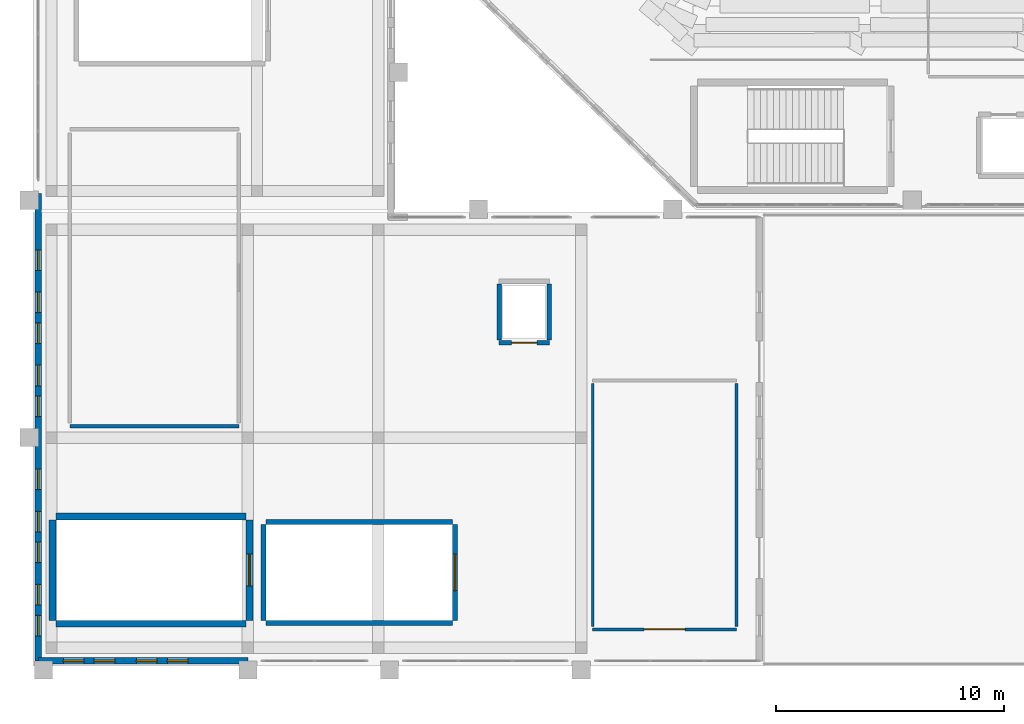
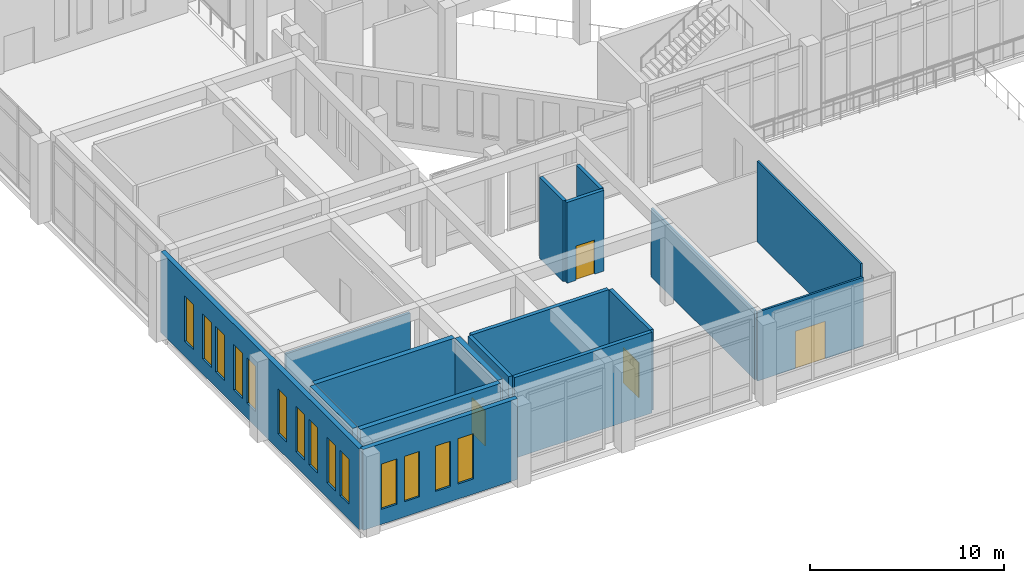
# One storey, part 42 of 55: 17 walls, 14 windows, 4 doors, 18 openings.
"""IFC4 building model written with IfcOpenShell, lengths in metres."""

from ifc_helpers import new_model, si_unit, derived_unit, direction, frame, frame_2d, origin, place, context, subcontext, project, spatial, rectangle, extrude, material, layer, layer_set, type_object, element, fill, save


model = new_model("IFC4")

# Units and contexts
model_context = context("Model", 3, precision=1e-05, world=origin(), true_north=direction((0.0, 1.0)))
body_context = subcontext(model_context, "Body", "Model", "MODEL_VIEW")
ifc_project = project(units=[si_unit("LENGTHUNIT", "METRE"), si_unit("AREAUNIT", "SQUARE_METRE"), si_unit("VOLUMEUNIT", "CUBIC_METRE"), si_unit("PLANEANGLEUNIT", "RADIAN"), si_unit("MASSUNIT", "GRAM", prefix="KILO"), derived_unit("THERMALTRANSMITTANCEUNIT", [(si_unit("MASSUNIT", "GRAM", prefix="KILO"), 1), (si_unit("TIMEUNIT", "SECOND"), -3), (si_unit("THERMODYNAMICTEMPERATUREUNIT", "KELVIN"), -1)])], contexts=[model_context])

# Site, building, storey
site_placement = place(None, origin())
site = spatial("IfcSite", under=ifc_project, at=site_placement, CompositionType="ELEMENT")
building_placement = place(site_placement, origin())
building = spatial("IfcBuilding", under=site, at=building_placement, Name="Valcora Ridge Arena", CompositionType="ELEMENT")
storey_placement = place(building_placement, frame((0.0, 0.0, 21.0)))
storey = spatial("IfcBuildingStorey", under=building, at=storey_placement, Name="L04", CompositionType="ELEMENT", Elevation=21.0)

# Wall, openings, windows
ifc_material_1 = material(Name="Bush-hammered Andean travertine on concrete backup C40/50", Category="masonry")
ifc_layer_1 = layer(ifc_material_1, 0.280029296875, Name="Bush-hammered Andean travertine on concrete backup C40/50")
ifc_layer_set_1 = layer_set([ifc_layer_1], Name="Bush-hammered Andean travertine on concrete backup C40/50")
wall_type_1 = type_object("IfcWallType", Name="TY-WALL-EW-TRV-28-51", PredefinedType="STANDARD", material=ifc_layer_set_1)
wall_1_placement = place(storey_placement, frame((0.219970703125, 0.219970703125, 0.0), z_axis=(0.0, 0.0, 1.0), x_axis=(1.0, 0.0, 0.0)))
wall_1 = element("IfcWall", 1, at=wall_1_placement, inside=storey, type_object=wall_type_1, Name="EW-TRV-28-51 WAL-EW-0098", PredefinedType="STANDARD", context=body_context, shape_type="SweptSolid", body=[
    extrude(rectangle(XDim=9.179931640625, YDim=0.280029296875, at=frame_2d((4.58984375, 0.0))), origin(), (0.0, 0.0, 1.0), 5.080078125),
])
opening_1_placement = place(wall_1_placement, frame((1.10009765625, 0.0, 0.949951171875)))
opening_1 = element("IfcOpeningElement", 2, at=opening_1_placement, cuts=wall_1, Name="Opening W-GLAN-90X285", PredefinedType="OPENING", context=body_context, shape_type="SweptSolid", body=[
    extrude(rectangle(XDim=0.89990234375, YDim=2.85009765625, at=frame_2d((0.449951171875, 1.425048828125))), frame((0.0, 0.14990234375, 0.0), z_axis=(0.0, -1.0, 0.0), x_axis=(1.0, 0.0, 0.0)), (0.0, 0.0, 1.0), 0.300048828125),
])
opening_2_placement = place(wall_1_placement, frame((2.449951171875, 0.0, 0.949951171875)))
opening_2 = element("IfcOpeningElement", 3, at=opening_2_placement, cuts=wall_1, Name="Opening W-GLAN-90X285", PredefinedType="OPENING", context=body_context, shape_type="SweptSolid", body=[
    extrude(rectangle(XDim=0.89990234375, YDim=2.85009765625, at=frame_2d((0.449951171875, 1.425048828125))), frame((0.0, 0.14990234375, 0.0), z_axis=(0.0, -1.0, 0.0), x_axis=(1.0, 0.0, 0.0)), (0.0, 0.0, 1.0), 0.300048828125),
])
opening_3_placement = place(wall_1_placement, frame((4.300048828125, 0.0, 0.949951171875)))
opening_3 = element("IfcOpeningElement", 4, at=opening_3_placement, cuts=wall_1, Name="Opening W-GLAN-90X285", PredefinedType="OPENING", context=body_context, shape_type="SweptSolid", body=[
    extrude(rectangle(XDim=0.89990234375, YDim=2.85009765625, at=frame_2d((0.449951171875, 1.425048828125))), frame((0.0, 0.14990234375, 0.0), z_axis=(0.0, -1.0, 0.0), x_axis=(1.0, 0.0, 0.0)), (0.0, 0.0, 1.0), 0.300048828125),
])
opening_4_placement = place(wall_1_placement, frame((5.64990234375, 0.0, 0.949951171875)))
opening_4 = element("IfcOpeningElement", 5, at=opening_4_placement, cuts=wall_1, Name="Opening W-GLAN-90X285", PredefinedType="OPENING", context=body_context, shape_type="SweptSolid", body=[
    extrude(rectangle(XDim=0.89990234375, YDim=2.85009765625, at=frame_2d((0.449951171875, 1.425048828125))), frame((0.0, 0.14990234375, 0.0), z_axis=(0.0, -1.0, 0.0), x_axis=(1.0, 0.0, 0.0)), (0.0, 0.0, 1.0), 0.300048828125),
])
ifc_material_2 = material(Name="Low-iron solar-control double glazing SHGC 0.28", Category="glass")
window_type = type_object("IfcWindowType", Name="TY-WINDOW-W-GLAN-90X285", PartitioningType="DOUBLE_PANEL_VERTICAL", PredefinedType="WINDOW", material=ifc_material_2)
window_1_placement = place(opening_1_placement, origin())
window_1 = element("IfcWindow", 6, at=window_1_placement, inside=storey, type_object=window_type, Name="W-GLAN-90X285 WIN-EX-0312", OverallHeight=2.85009765625, OverallWidth=0.89990234375, PartitioningType="DOUBLE_PANEL_VERTICAL", PredefinedType="WINDOW", context=body_context, shape_type="SweptSolid", body=[
    extrude(rectangle(XDim=0.89990234375, YDim=2.85009765625, at=frame_2d((0.449951171875, 1.425048828125))), frame((0.0, 0.030029296875, 0.0), z_axis=(0.0, -1.0, 0.0), x_axis=(1.0, 0.0, 0.0)), (0.0, 0.0, 1.0), 0.06005859375),
])
fill(opening_1, window_1)
window_2_placement = place(opening_2_placement, origin())
window_2 = element("IfcWindow", 7, at=window_2_placement, inside=storey, type_object=window_type, Name="W-GLAN-90X285 WIN-EX-0313", OverallHeight=2.85009765625, OverallWidth=0.89990234375, PartitioningType="DOUBLE_PANEL_VERTICAL", PredefinedType="WINDOW", context=body_context, shape_type="SweptSolid", body=[
    extrude(rectangle(XDim=0.89990234375, YDim=2.85009765625, at=frame_2d((0.449951171875, 1.425048828125))), frame((0.0, 0.030029296875, 0.0), z_axis=(0.0, -1.0, 0.0), x_axis=(1.0, 0.0, 0.0)), (0.0, 0.0, 1.0), 0.06005859375),
])
fill(opening_2, window_2)
window_3_placement = place(opening_3_placement, origin())
window_3 = element("IfcWindow", 8, at=window_3_placement, inside=storey, type_object=window_type, Name="W-GLAN-90X285 WIN-EX-0314", OverallHeight=2.85009765625, OverallWidth=0.89990234375, PartitioningType="DOUBLE_PANEL_VERTICAL", PredefinedType="WINDOW", context=body_context, shape_type="SweptSolid", body=[
    extrude(rectangle(XDim=0.89990234375, YDim=2.85009765625, at=frame_2d((0.449951171875, 1.425048828125))), frame((0.0, 0.030029296875, 0.0), z_axis=(0.0, -1.0, 0.0), x_axis=(1.0, 0.0, 0.0)), (0.0, 0.0, 1.0), 0.06005859375),
])
fill(opening_3, window_3)
window_4_placement = place(opening_4_placement, origin())
window_4 = element("IfcWindow", 9, at=window_4_placement, inside=storey, type_object=window_type, Name="W-GLAN-90X285 WIN-EX-0315", OverallHeight=2.85009765625, OverallWidth=0.89990234375, PartitioningType="DOUBLE_PANEL_VERTICAL", PredefinedType="WINDOW", context=body_context, shape_type="SweptSolid", body=[
    extrude(rectangle(XDim=0.89990234375, YDim=2.85009765625, at=frame_2d((0.449951171875, 1.425048828125))), frame((0.0, 0.030029296875, 0.0), z_axis=(0.0, -1.0, 0.0), x_axis=(1.0, 0.0, 0.0)), (0.0, 0.0, 1.0), 0.06005859375),
])
fill(opening_4, window_4)

wall_2_placement = place(storey_placement, frame((0.219970703125, 0.219970703125, 0.0), z_axis=(0.0, 0.0, 1.0), x_axis=(0.0, 1.0, 0.0)))
wall_2 = element("IfcWall", 10, at=wall_2_placement, inside=storey, type_object=wall_type_1, Name="EW-TRV-28-51 WAL-EW-0100", PredefinedType="STANDARD", context=body_context, shape_type="SweptSolid", body=[
    extrude(rectangle(XDim=20.47998046875, YDim=0.280029296875, at=frame_2d((10.239990234375, 0.0))), origin(), (0.0, 0.0, 1.0), 5.080078125),
])
opening_5_placement = place(wall_2_placement, frame((1.10009765625, 0.0, 0.949951171875)))
opening_5 = element("IfcOpeningElement", 11, at=opening_5_placement, cuts=wall_2, Name="Opening W-GLAN-90X285", PredefinedType="OPENING", context=body_context, shape_type="SweptSolid", body=[
    extrude(rectangle(XDim=0.89990234375, YDim=2.85009765625, at=frame_2d((0.449951171875, 1.425048828125))), frame((0.0, 0.14990234375, 0.0), z_axis=(0.0, -1.0, 0.0), x_axis=(1.0, 0.0, 0.0)), (0.0, 0.0, 1.0), 0.300048828125),
])
opening_6_placement = place(wall_2_placement, frame((2.449951171875, 0.0, 0.949951171875)))
opening_6 = element("IfcOpeningElement", 12, at=opening_6_placement, cuts=wall_2, Name="Opening W-GLAN-90X285", PredefinedType="OPENING", context=body_context, shape_type="SweptSolid", body=[
    extrude(rectangle(XDim=0.89990234375, YDim=2.85009765625, at=frame_2d((0.449951171875, 1.425048828125))), frame((0.0, 0.14990234375, 0.0), z_axis=(0.0, -1.0, 0.0), x_axis=(1.0, 0.0, 0.0)), (0.0, 0.0, 1.0), 0.300048828125),
])
opening_7_placement = place(wall_2_placement, frame((4.300048828125, 0.0, 0.949951171875)))
opening_7 = element("IfcOpeningElement", 13, at=opening_7_placement, cuts=wall_2, Name="Opening W-GLAN-90X285", PredefinedType="OPENING", context=body_context, shape_type="SweptSolid", body=[
    extrude(rectangle(XDim=0.89990234375, YDim=2.85009765625, at=frame_2d((0.449951171875, 1.425048828125))), frame((0.0, 0.14990234375, 0.0), z_axis=(0.0, -1.0, 0.0), x_axis=(1.0, 0.0, 0.0)), (0.0, 0.0, 1.0), 0.300048828125),
])
opening_8_placement = place(wall_2_placement, frame((5.64990234375, 0.0, 0.949951171875)))
opening_8 = element("IfcOpeningElement", 14, at=opening_8_placement, cuts=wall_2, Name="Opening W-GLAN-90X285", PredefinedType="OPENING", context=body_context, shape_type="SweptSolid", body=[
    extrude(rectangle(XDim=0.89990234375, YDim=2.85009765625, at=frame_2d((0.449951171875, 1.425048828125))), frame((0.0, 0.14990234375, 0.0), z_axis=(0.0, -1.0, 0.0), x_axis=(1.0, 0.0, 0.0)), (0.0, 0.0, 1.0), 0.300048828125),
])
opening_9_placement = place(wall_2_placement, frame((7.5, 0.0, 0.949951171875)))
opening_9 = element("IfcOpeningElement", 15, at=opening_9_placement, cuts=wall_2, Name="Opening W-GLAN-90X285", PredefinedType="OPENING", context=body_context, shape_type="SweptSolid", body=[
    extrude(rectangle(XDim=0.89990234375, YDim=2.85009765625, at=frame_2d((0.449951171875, 1.425048828125))), frame((0.0, 0.14990234375, 0.0), z_axis=(0.0, -1.0, 0.0), x_axis=(1.0, 0.0, 0.0)), (0.0, 0.0, 1.0), 0.300048828125),
])
opening_10_placement = place(wall_2_placement, frame((10.699951171875, 0.0, 0.949951171875)))
opening_10 = element("IfcOpeningElement", 16, at=opening_10_placement, cuts=wall_2, Name="Opening W-GLAN-90X285", PredefinedType="OPENING", context=body_context, shape_type="SweptSolid", body=[
    extrude(rectangle(XDim=0.89990234375, YDim=2.85009765625, at=frame_2d((0.449951171875, 1.425048828125))), frame((0.0, 0.14990234375, 0.0), z_axis=(0.0, -1.0, 0.0), x_axis=(1.0, 0.0, 0.0)), (0.0, 0.0, 1.0), 0.300048828125),
])
opening_11_placement = place(wall_2_placement, frame((12.050048828125, 0.0, 0.949951171875)))
opening_11 = element("IfcOpeningElement", 17, at=opening_11_placement, cuts=wall_2, Name="Opening W-GLAN-90X285", PredefinedType="OPENING", context=body_context, shape_type="SweptSolid", body=[
    extrude(rectangle(XDim=0.89990234375, YDim=2.85009765625, at=frame_2d((0.449951171875, 1.425048828125))), frame((0.0, 0.14990234375, 0.0), z_axis=(0.0, -1.0, 0.0), x_axis=(1.0, 0.0, 0.0)), (0.0, 0.0, 1.0), 0.300048828125),
])
opening_12_placement = place(wall_2_placement, frame((13.89990234375, 0.0, 0.949951171875)))
opening_12 = element("IfcOpeningElement", 18, at=opening_12_placement, cuts=wall_2, Name="Opening W-GLAN-90X285", PredefinedType="OPENING", context=body_context, shape_type="SweptSolid", body=[
    extrude(rectangle(XDim=0.89990234375, YDim=2.85009765625, at=frame_2d((0.449951171875, 1.425048828125))), frame((0.0, 0.14990234375, 0.0), z_axis=(0.0, -1.0, 0.0), x_axis=(1.0, 0.0, 0.0)), (0.0, 0.0, 1.0), 0.300048828125),
])
opening_13_placement = place(wall_2_placement, frame((15.25, 0.0, 0.949951171875)))
opening_13 = element("IfcOpeningElement", 19, at=opening_13_placement, cuts=wall_2, Name="Opening W-GLAN-90X285", PredefinedType="OPENING", context=body_context, shape_type="SweptSolid", body=[
    extrude(rectangle(XDim=0.89990234375, YDim=2.85009765625, at=frame_2d((0.449951171875, 1.425048828125))), frame((0.0, 0.14990234375, 0.0), z_axis=(0.0, -1.0, 0.0), x_axis=(1.0, 0.0, 0.0)), (0.0, 0.0, 1.0), 0.300048828125),
])
opening_14_placement = place(wall_2_placement, frame((17.10009765625, 0.0, 0.949951171875)))
opening_14 = element("IfcOpeningElement", 20, at=opening_14_placement, cuts=wall_2, Name="Opening W-GLAN-90X285", PredefinedType="OPENING", context=body_context, shape_type="SweptSolid", body=[
    extrude(rectangle(XDim=0.89990234375, YDim=2.85009765625, at=frame_2d((0.449951171875, 1.425048828125))), frame((0.0, 0.14990234375, 0.0), z_axis=(0.0, -1.0, 0.0), x_axis=(1.0, 0.0, 0.0)), (0.0, 0.0, 1.0), 0.300048828125),
])
window_5_placement = place(opening_5_placement, origin())
window_5 = element("IfcWindow", 21, at=window_5_placement, inside=storey, type_object=window_type, Name="W-GLAN-90X285 WIN-EX-0321", OverallHeight=2.85009765625, OverallWidth=0.89990234375, PartitioningType="DOUBLE_PANEL_VERTICAL", PredefinedType="WINDOW", context=body_context, shape_type="SweptSolid", body=[
    extrude(rectangle(XDim=0.89990234375, YDim=2.85009765625, at=frame_2d((0.449951171875, 1.425048828125))), frame((0.0, 0.030029296875, 0.0), z_axis=(0.0, -1.0, 0.0), x_axis=(1.0, 0.0, 0.0)), (0.0, 0.0, 1.0), 0.06005859375),
])
fill(opening_5, window_5)
window_6_placement = place(opening_6_placement, origin())
window_6 = element("IfcWindow", 22, at=window_6_placement, inside=storey, type_object=window_type, Name="W-GLAN-90X285 WIN-EX-0322", OverallHeight=2.85009765625, OverallWidth=0.89990234375, PartitioningType="DOUBLE_PANEL_VERTICAL", PredefinedType="WINDOW", context=body_context, shape_type="SweptSolid", body=[
    extrude(rectangle(XDim=0.89990234375, YDim=2.85009765625, at=frame_2d((0.449951171875, 1.425048828125))), frame((0.0, 0.030029296875, 0.0), z_axis=(0.0, -1.0, 0.0), x_axis=(1.0, 0.0, 0.0)), (0.0, 0.0, 1.0), 0.06005859375),
])
fill(opening_6, window_6)
window_7_placement = place(opening_7_placement, origin())
window_7 = element("IfcWindow", 23, at=window_7_placement, inside=storey, type_object=window_type, Name="W-GLAN-90X285 WIN-EX-0323", OverallHeight=2.85009765625, OverallWidth=0.89990234375, PartitioningType="DOUBLE_PANEL_VERTICAL", PredefinedType="WINDOW", context=body_context, shape_type="SweptSolid", body=[
    extrude(rectangle(XDim=0.89990234375, YDim=2.85009765625, at=frame_2d((0.449951171875, 1.425048828125))), frame((0.0, 0.030029296875, 0.0), z_axis=(0.0, -1.0, 0.0), x_axis=(1.0, 0.0, 0.0)), (0.0, 0.0, 1.0), 0.06005859375),
])
fill(opening_7, window_7)
window_8_placement = place(opening_8_placement, origin())
window_8 = element("IfcWindow", 24, at=window_8_placement, inside=storey, type_object=window_type, Name="W-GLAN-90X285 WIN-EX-0324", OverallHeight=2.85009765625, OverallWidth=0.89990234375, PartitioningType="DOUBLE_PANEL_VERTICAL", PredefinedType="WINDOW", context=body_context, shape_type="SweptSolid", body=[
    extrude(rectangle(XDim=0.89990234375, YDim=2.85009765625, at=frame_2d((0.449951171875, 1.425048828125))), frame((0.0, 0.030029296875, 0.0), z_axis=(0.0, -1.0, 0.0), x_axis=(1.0, 0.0, 0.0)), (0.0, 0.0, 1.0), 0.06005859375),
])
fill(opening_8, window_8)
window_9_placement = place(opening_9_placement, origin())
window_9 = element("IfcWindow", 25, at=window_9_placement, inside=storey, type_object=window_type, Name="W-GLAN-90X285 WIN-EX-0325", OverallHeight=2.85009765625, OverallWidth=0.89990234375, PartitioningType="DOUBLE_PANEL_VERTICAL", PredefinedType="WINDOW", context=body_context, shape_type="SweptSolid", body=[
    extrude(rectangle(XDim=0.89990234375, YDim=2.85009765625, at=frame_2d((0.449951171875, 1.425048828125))), frame((0.0, 0.030029296875, 0.0), z_axis=(0.0, -1.0, 0.0), x_axis=(1.0, 0.0, 0.0)), (0.0, 0.0, 1.0), 0.06005859375),
])
fill(opening_9, window_9)
window_10_placement = place(opening_10_placement, origin())
window_10 = element("IfcWindow", 26, at=window_10_placement, inside=storey, type_object=window_type, Name="W-GLAN-90X285 WIN-EX-0326", OverallHeight=2.85009765625, OverallWidth=0.89990234375, PartitioningType="DOUBLE_PANEL_VERTICAL", PredefinedType="WINDOW", context=body_context, shape_type="SweptSolid", body=[
    extrude(rectangle(XDim=0.89990234375, YDim=2.85009765625, at=frame_2d((0.449951171875, 1.425048828125))), frame((0.0, 0.030029296875, 0.0), z_axis=(0.0, -1.0, 0.0), x_axis=(1.0, 0.0, 0.0)), (0.0, 0.0, 1.0), 0.06005859375),
])
fill(opening_10, window_10)
window_11_placement = place(opening_11_placement, origin())
window_11 = element("IfcWindow", 27, at=window_11_placement, inside=storey, type_object=window_type, Name="W-GLAN-90X285 WIN-EX-0327", OverallHeight=2.85009765625, OverallWidth=0.89990234375, PartitioningType="DOUBLE_PANEL_VERTICAL", PredefinedType="WINDOW", context=body_context, shape_type="SweptSolid", body=[
    extrude(rectangle(XDim=0.89990234375, YDim=2.85009765625, at=frame_2d((0.449951171875, 1.425048828125))), frame((0.0, 0.030029296875, 0.0), z_axis=(0.0, -1.0, 0.0), x_axis=(1.0, 0.0, 0.0)), (0.0, 0.0, 1.0), 0.06005859375),
])
fill(opening_11, window_11)
window_12_placement = place(opening_12_placement, origin())
window_12 = element("IfcWindow", 28, at=window_12_placement, inside=storey, type_object=window_type, Name="W-GLAN-90X285 WIN-EX-0328", OverallHeight=2.85009765625, OverallWidth=0.89990234375, PartitioningType="DOUBLE_PANEL_VERTICAL", PredefinedType="WINDOW", context=body_context, shape_type="SweptSolid", body=[
    extrude(rectangle(XDim=0.89990234375, YDim=2.85009765625, at=frame_2d((0.449951171875, 1.425048828125))), frame((0.0, 0.030029296875, 0.0), z_axis=(0.0, -1.0, 0.0), x_axis=(1.0, 0.0, 0.0)), (0.0, 0.0, 1.0), 0.06005859375),
])
fill(opening_12, window_12)
window_13_placement = place(opening_13_placement, origin())
window_13 = element("IfcWindow", 29, at=window_13_placement, inside=storey, type_object=window_type, Name="W-GLAN-90X285 WIN-EX-0329", OverallHeight=2.85009765625, OverallWidth=0.89990234375, PartitioningType="DOUBLE_PANEL_VERTICAL", PredefinedType="WINDOW", context=body_context, shape_type="SweptSolid", body=[
    extrude(rectangle(XDim=0.89990234375, YDim=2.85009765625, at=frame_2d((0.449951171875, 1.425048828125))), frame((0.0, 0.030029296875, 0.0), z_axis=(0.0, -1.0, 0.0), x_axis=(1.0, 0.0, 0.0)), (0.0, 0.0, 1.0), 0.06005859375),
])
fill(opening_13, window_13)
window_14_placement = place(opening_14_placement, origin())
window_14 = element("IfcWindow", 30, at=window_14_placement, inside=storey, type_object=window_type, Name="W-GLAN-90X285 WIN-EX-0330", OverallHeight=2.85009765625, OverallWidth=0.89990234375, PartitioningType="DOUBLE_PANEL_VERTICAL", PredefinedType="WINDOW", context=body_context, shape_type="SweptSolid", body=[
    extrude(rectangle(XDim=0.89990234375, YDim=2.85009765625, at=frame_2d((0.449951171875, 1.425048828125))), frame((0.0, 0.030029296875, 0.0), z_axis=(0.0, -1.0, 0.0), x_axis=(1.0, 0.0, 0.0)), (0.0, 0.0, 1.0), 0.06005859375),
])
fill(opening_14, window_14)

# Wall
ifc_material_3 = material(Name="Fire-rated masonry-core compartment wall C35/45 150 mm", Category="masonry")
ifc_layer_2 = layer(ifc_material_3, 0.14990234375, Name="Fire-rated masonry-core compartment wall C35/45 150 mm")
ifc_layer_set_2 = layer_set([ifc_layer_2], Name="Fire-rated masonry-core compartment wall C35/45 150 mm")
wall_type_2 = type_object("IfcWallType", Name="TY-WALL-IW-COMP-150", PredefinedType="STANDARD", material=ifc_layer_set_2)
wall_3_placement = place(storey_placement, frame((1.60009765625, 10.5, 0.0), z_axis=(0.0, 0.0, 1.0), x_axis=(1.0, 0.0, 0.0)))
element("IfcWall", 31, at=wall_3_placement, inside=storey, type_object=wall_type_2, Name="IW-COMP-150 WAL-IN-0475", PredefinedType="STANDARD", context=body_context, shape_type="SweptSolid", body=[
    extrude(rectangle(XDim=7.39990234375, YDim=0.14990234375, at=frame_2d((3.699951171875, 0.0))), origin(), (0.0, 0.0, 1.0), 4.330078125),
])

# Wall, opening, door
ifc_material_4 = material(Name="Acoustic metal-stud gypsum partition 120 mm")
ifc_layer_3 = layer(ifc_material_4, 0.1201171875, Name="Acoustic metal-stud gypsum partition 120 mm")
ifc_layer_set_3 = layer_set([ifc_layer_3], Name="Acoustic metal-stud gypsum partition 120 mm")
wall_type_3 = type_object("IfcWallType", Name="TY-WALL-IW-PART-120", PredefinedType="PARTITIONING", material=ifc_layer_set_3)
wall_4_placement = place(storey_placement, frame((24.5, 1.60009765625, 0.0), z_axis=(0.0, 0.0, 1.0), x_axis=(1.0, 0.0, 0.0)))
wall_4 = element("IfcWall", 32, at=wall_4_placement, inside=storey, type_object=wall_type_3, Name="IW-PART-120 WAL-IN-0471", PredefinedType="PARTITIONING", context=body_context, shape_type="SweptSolid", body=[
    extrude(rectangle(XDim=6.300048828125, YDim=0.1201171875, at=frame_2d((3.14990234375, 0.0))), origin(), (0.0, 0.0, 1.0), 4.330078125),
])
opening_15_placement = place(wall_4_placement, frame((2.25, 0.0, 0.0)))
opening_15 = element("IfcOpeningElement", 33, at=opening_15_placement, cuts=wall_4, Name="Opening D-PUB-1800", PredefinedType="OPENING", context=body_context, shape_type="SweptSolid", body=[
    extrude(rectangle(XDim=1.800048828125, YDim=2.35009765625, at=frame_2d((0.89990234375, 1.175048828125))), frame((0.0, 0.070068359375, 0.0), z_axis=(0.0, -1.0, 0.0), x_axis=(1.0, 0.0, 0.0)), (0.0, 0.0, 1.0), 0.14013671875),
])
ifc_material_5 = material(Name="Solid-core acoustic timber veneer door leaf", Category="wood")
door_type_1 = type_object("IfcDoorType", Name="TY-DOOR-D-PUB-1800", OperationType="NOTDEFINED", PredefinedType="DOOR", material=ifc_material_5)
door_1_placement = place(opening_15_placement, origin())
door_1 = element("IfcDoor", 34, at=door_1_placement, inside=storey, type_object=door_type_1, Name="D-PUB-1800 DOR-IN-0123", OperationType="DOUBLE_DOOR_SINGLE_SWING", OverallHeight=2.35009765625, OverallWidth=1.800048828125, PredefinedType="DOOR", context=body_context, shape_type="SweptSolid", body=[
    extrude(rectangle(XDim=1.800048828125, YDim=2.35009765625, at=frame_2d((0.89990234375, 1.175048828125))), frame((0.0, 0.02490234375, 0.0), z_axis=(0.0, -1.0, 0.0), x_axis=(1.0, 0.0, 0.0)), (0.0, 0.0, 1.0), 0.050048828125),
])
fill(opening_15, door_1)

# Walls
wall_5_placement = place(storey_placement, frame((24.5, 1.719970703125, 0.0), z_axis=(0.0, 0.0, 1.0), x_axis=(0.0, 1.0, 0.0)))
element("IfcWall", 35, at=wall_5_placement, inside=storey, type_object=wall_type_3, Name="IW-PART-120 WAL-IN-0473", PredefinedType="PARTITIONING", context=body_context, shape_type="SweptSolid", body=[
    extrude(rectangle(XDim=10.659912109375, YDim=0.1201171875, at=frame_2d((5.330078125, 0.0))), origin(), (0.0, 0.0, 1.0), 4.330078125),
])
wall_6_placement = place(storey_placement, frame((30.800048828125, 1.719970703125, 0.0), z_axis=(0.0, 0.0, 1.0), x_axis=(0.0, 1.0, 0.0)))
element("IfcWall", 36, at=wall_6_placement, inside=storey, type_object=wall_type_3, Name="IW-PART-120 WAL-IN-0474", PredefinedType="PARTITIONING", context=body_context, shape_type="SweptSolid", body=[
    extrude(rectangle(XDim=10.659912109375, YDim=0.1201171875, at=frame_2d((5.330078125, 0.0))), origin(), (0.0, 0.0, 1.0), 5.080078125),
])

# Wall, opening, door
ifc_material_6 = material(Name="Concrete C40/50", Category="concrete")
ifc_layer_4 = layer(ifc_material_6, 0.199951171875, Name="Concrete C40/50")
ifc_layer_set_4 = layer_set([ifc_layer_4], Name="Concrete C40/50")
wall_type_4 = type_object("IfcWallType", Name="TY-WALL-IW-SHF-200", PredefinedType="STANDARD", material=ifc_layer_set_4)
wall_7_placement = place(storey_placement, frame((20.39990234375, 14.14990234375, 0.0), z_axis=(0.0, 0.0, 1.0), x_axis=(1.0, 0.0, 0.0)))
wall_7 = element("IfcWall", 37, at=wall_7_placement, inside=storey, type_object=wall_type_4, Name="IW-SHF-200 WAL-SH-0189", PredefinedType="STANDARD", context=body_context, shape_type="SweptSolid", body=[
    extrude(rectangle(XDim=2.2001953125, YDim=0.199951171875, at=frame_2d((1.10009765625, 0.0))), origin(), (0.0, 0.0, 1.0), 5.080078125),
])
opening_16_placement = place(wall_7_placement, frame((0.550048828125, 0.0, 0.0)))
opening_16 = element("IfcOpeningElement", 38, at=opening_16_placement, cuts=wall_7, Name="Opening LD-PAX", PredefinedType="OPENING", context=body_context, shape_type="SweptSolid", body=[
    extrude(rectangle(XDim=1.10009765625, YDim=2.14990234375, at=frame_2d((0.550048828125, 1.074951171875))), frame((0.0, 0.10986328125, 0.0), z_axis=(0.0, -1.0, 0.0), x_axis=(1.0, 0.0, 0.0)), (0.0, 0.0, 1.0), 0.219970703125),
])
ifc_material_7 = material(Name="Insulated fire-rated hollow metal steel", Category="steel")
door_type_2 = type_object("IfcDoorType", Name="TY-DOOR-LD-PAX", OperationType="NOTDEFINED", PredefinedType="DOOR", material=ifc_material_7)
door_2_placement = place(opening_16_placement, origin())
door_2 = element("IfcDoor", 39, at=door_2_placement, inside=storey, type_object=door_type_2, Name="CL1 Landing Door L04", OperationType="SLIDING_TO_LEFT", OverallHeight=2.14990234375, OverallWidth=1.10009765625, PredefinedType="DOOR", context=body_context, shape_type="SweptSolid", body=[
    extrude(rectangle(XDim=1.10009765625, YDim=2.14990234375, at=frame_2d((0.550048828125, 1.074951171875))), frame((0.0, 0.02490234375, 0.0), z_axis=(0.0, -1.0, 0.0), x_axis=(1.0, 0.0, 0.0)), (0.0, 0.0, 1.0), 0.050048828125),
])
fill(opening_16, door_2)

# Walls
for number, where, z_axis, x_axis, name in (
    (40, (20.39990234375, 14.27001953125, 0.0), (0.0, 0.0, 1.0), (0.0, 1.0, 0.0), "IW-SHF-200 WAL-SH-0191"),
    (41, (22.60009765625, 14.27001953125, 0.0), (0.0, 0.0, 1.0), (0.0, 1.0, 0.0), "IW-SHF-200 WAL-SH-0192"),
):
    element("IfcWall", number, at=place(storey_placement, frame(where, z_axis=z_axis, x_axis=x_axis)), inside=storey, type_object=wall_type_4, Name=name, PredefinedType="STANDARD", context=body_context, shape_type="SweptSolid", body=[
        extrude(rectangle(XDim=2.4599609375, YDim=0.199951171875, at=frame_2d((1.22998046875, 0.0))), origin(), (0.0, 0.0, 1.0), 5.080078125),
    ])
ifc_material_8 = material(Name="Concrete C45/55", Category="concrete")
ifc_layer_5 = layer(ifc_material_8, 0.300048828125, Name="Concrete C45/55")
ifc_layer_set_5 = layer_set([ifc_layer_5], Name="Concrete C45/55")
wall_type_5 = type_object("IfcWallType", Name="TY-WALL-SW-C300-L", PredefinedType="SHEAR", material=ifc_layer_set_5)
for number, where, z_axis, x_axis, name in (
    (42, (1.0, 1.85009765625, 0.0), (0.0, 0.0, 1.0), (1.0, 0.0, 0.0), "SW-C300-L WAL-CR-0161"),
    (43, (1.0, 6.550048828125, 0.0), (0.0, 0.0, 1.0), (1.0, 0.0, 0.0), "SW-C300-L WAL-CR-0162"),
):
    element("IfcWall", number, at=place(storey_placement, frame(where, z_axis=z_axis, x_axis=x_axis)), inside=storey, type_object=wall_type_5, Name=name, PredefinedType="SHEAR", context=body_context, shape_type="SweptSolid", body=[
        extrude(rectangle(XDim=8.320068359375, YDim=0.300048828125, at=frame_2d((4.16015625, 0.0))), origin(), (0.0, 0.0, 1.0), 5.080078125),
    ])
ifc_layer_6 = layer(ifc_material_8, 0.300048828125, Name="Concrete C45/55")
ifc_layer_set_6 = layer_set([ifc_layer_6], Name="Concrete C45/55")
wall_type_6 = type_object("IfcWallType", Name="TY-WALL-SW-C300-S", PredefinedType="SHEAR", material=ifc_layer_set_6)
wall_8_placement = place(storey_placement, frame((0.85009765625, 2.0, 0.0), z_axis=(0.0, 0.0, 1.0), x_axis=(0.0, 1.0, 0.0)))
element("IfcWall", 44, at=wall_8_placement, inside=storey, type_object=wall_type_6, Name="SW-C300-S WAL-CR-0163", PredefinedType="SHEAR", context=body_context, shape_type="SweptSolid", body=[
    extrude(rectangle(XDim=4.39990234375, YDim=0.300048828125, at=frame_2d((2.199951171875, 0.0))), origin(), (0.0, 0.0, 1.0), 5.080078125),
])

# Wall, opening, door
wall_9_placement = place(storey_placement, frame((9.469970703125, 2.0, 0.0), z_axis=(0.0, 0.0, 1.0), x_axis=(0.0, 1.0, 0.0)))
wall_9 = element("IfcWall", 45, at=wall_9_placement, inside=storey, type_object=wall_type_6, Name="SW-C300-S WAL-CR-0164", PredefinedType="SHEAR", context=body_context, shape_type="SweptSolid", body=[
    extrude(rectangle(XDim=4.39990234375, YDim=0.300048828125, at=frame_2d((2.199951171875, 0.0))), origin(), (0.0, 0.0, 1.0), 5.080078125),
])
opening_17_placement = place(wall_9_placement, frame((1.5, 0.0, 0.0)))
opening_17 = element("IfcOpeningElement", 46, at=opening_17_placement, cuts=wall_9, Name="Opening FD-01", PredefinedType="OPENING", context=body_context, shape_type="SweptSolid", body=[
    extrude(rectangle(XDim=1.39990234375, YDim=2.199951171875, at=frame_2d((0.699951171875, 1.10009765625))), frame((0.0, 0.159912109375, 0.0), z_axis=(0.0, -1.0, 0.0), x_axis=(1.0, 0.0, 0.0)), (0.0, 0.0, 1.0), 0.320068359375),
])
ifc_material_9 = material(Name="Insulated fire-rated steel door leaf", Category="steel")
door_type_3 = type_object("IfcDoorType", Name="TY-DOOR-FD-01", OperationType="NOTDEFINED", PredefinedType="DOOR", material=ifc_material_9)
door_3_placement = place(opening_17_placement, origin())
door_3 = element("IfcDoor", 47, at=door_3_placement, inside=storey, type_object=door_type_3, Name="FD-01 DOR-ST-0041", OperationType="DOUBLE_DOOR_SINGLE_SWING", OverallHeight=2.199951171875, OverallWidth=1.39990234375, PredefinedType="DOOR", context=body_context, shape_type="SweptSolid", body=[
    extrude(rectangle(XDim=1.39990234375, YDim=2.199951171875, at=frame_2d((0.699951171875, 1.10009765625))), frame((0.0, 0.02490234375, 0.0), z_axis=(0.0, -1.0, 0.0), x_axis=(1.0, 0.0, 0.0)), (0.0, 0.0, 1.0), 0.050048828125),
])
fill(opening_17, door_3)

# Walls
ifc_material_10 = material(Name="Fire-resisting reinforced concrete enclosure C40/50 200 mm", Category="concrete")
ifc_layer_7 = layer(ifc_material_10, 0.219970703125, Name="Fire-resisting reinforced concrete enclosure C40/50 200 mm")
ifc_layer_set_7 = layer_set([ifc_layer_7], Name="Fire-resisting reinforced concrete enclosure C40/50 200 mm")
wall_type_7 = type_object("IfcWallType", Name="TY-WALL-SW-ES-220", PredefinedType="SHEAR", material=ifc_layer_set_7)
for number, where, z_axis, x_axis, name in (
    (48, (10.199951171875, 1.889892578125, 0.0), (0.0, 0.0, 1.0), (1.0, 0.0, 0.0), "SW-ES-220 WAL-ES-0113"),
    (49, (10.199951171875, 6.31005859375, 0.0), (0.0, 0.0, 1.0), (1.0, 0.0, 0.0), "SW-ES-220 WAL-ES-0114"),
):
    element("IfcWall", number, at=place(storey_placement, frame(where, z_axis=z_axis, x_axis=x_axis)), inside=storey, type_object=wall_type_7, Name=name, PredefinedType="SHEAR", context=body_context, shape_type="SweptSolid", body=[
        extrude(rectangle(XDim=8.16015625, YDim=0.219970703125, at=frame_2d((4.080078125, 0.0))), origin(), (0.0, 0.0, 1.0), 5.080078125),
    ])
wall_10_placement = place(storey_placement, frame((10.090087890625, 2.0, 0.0), z_axis=(0.0, 0.0, 1.0), x_axis=(0.0, 1.0, 0.0)))
element("IfcWall", 50, at=wall_10_placement, inside=storey, type_object=wall_type_7, Name="SW-ES-220 WAL-ES-0115", PredefinedType="SHEAR", context=body_context, shape_type="SweptSolid", body=[
    extrude(rectangle(XDim=4.199951171875, YDim=0.219970703125, at=frame_2d((2.10009765625, 0.0))), origin(), (0.0, 0.0, 1.0), 5.080078125),
])

# Wall, opening, door
wall_11_placement = place(storey_placement, frame((18.469970703125, 2.0, 0.0), z_axis=(0.0, 0.0, 1.0), x_axis=(0.0, 1.0, 0.0)))
wall_11 = element("IfcWall", 51, at=wall_11_placement, inside=storey, type_object=wall_type_7, Name="SW-ES-220 WAL-ES-0116", PredefinedType="SHEAR", context=body_context, shape_type="SweptSolid", body=[
    extrude(rectangle(XDim=4.199951171875, YDim=0.219970703125, at=frame_2d((2.10009765625, 0.0))), origin(), (0.0, 0.0, 1.0), 5.080078125),
])
opening_18_placement = place(wall_11_placement, frame((1.300048828125, 0.0, 0.0)))
opening_18 = element("IfcOpeningElement", 52, at=opening_18_placement, cuts=wall_11, Name="Opening FD-02", PredefinedType="OPENING", context=body_context, shape_type="SweptSolid", body=[
    extrude(rectangle(XDim=1.60009765625, YDim=2.199951171875, at=frame_2d((0.800048828125, 1.10009765625))), frame((0.0, 0.119873046875, 0.0), z_axis=(0.0, -1.0, 0.0), x_axis=(1.0, 0.0, 0.0)), (0.0, 0.0, 1.0), 0.239990234375),
])
door_type_4 = type_object("IfcDoorType", Name="TY-DOOR-FD-02", OperationType="NOTDEFINED", PredefinedType="DOOR", material=ifc_material_9)
door_4_placement = place(opening_18_placement, origin())
door_4 = element("IfcDoor", 53, at=door_4_placement, inside=storey, type_object=door_type_4, Name="FD-02 DOR-ES-0025", OperationType="DOUBLE_DOOR_SINGLE_SWING", OverallHeight=2.199951171875, OverallWidth=1.60009765625, PredefinedType="DOOR", context=body_context, shape_type="SweptSolid", body=[
    extrude(rectangle(XDim=1.60009765625, YDim=2.199951171875, at=frame_2d((0.800048828125, 1.10009765625))), frame((0.0, 0.02490234375, 0.0), z_axis=(0.0, -1.0, 0.0), x_axis=(1.0, 0.0, 0.0)), (0.0, 0.0, 1.0), 0.050048828125),
])
fill(opening_18, door_4)

save(model, "model.ifc")
